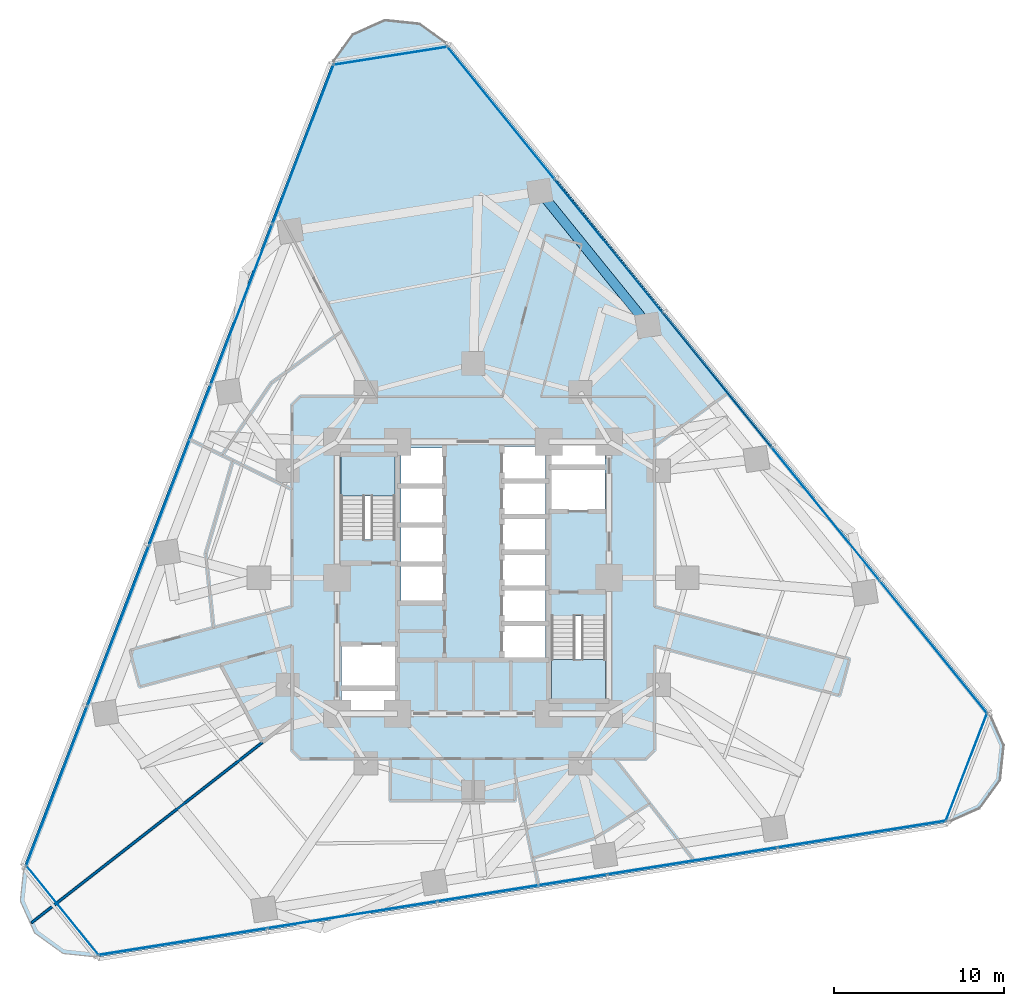
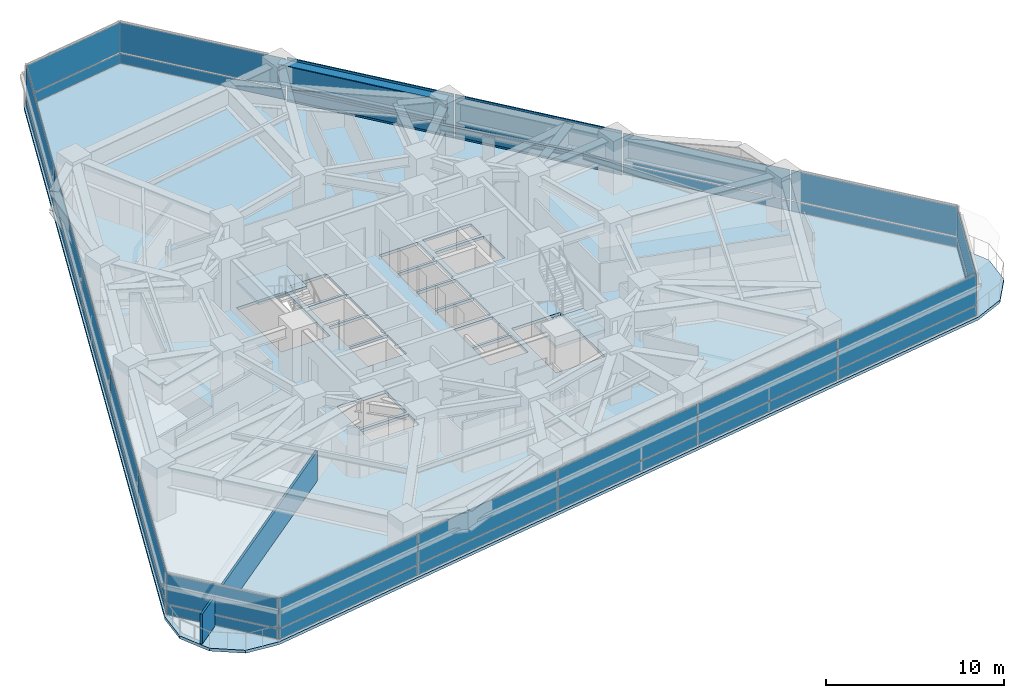
# One storey, part 6 of 13: 36 plates, 6 members, 3 slabs, 1 beam, 1 wall, 8 elements without a shape of their own.
"""IFC4 building model written with IfcOpenShell, lengths in metres."""

from ifc_helpers import new_model, si_unit, direction, frame, frame_2d, origin, origin_2d, place, context, subcontext, project, spatial, polyline, rectangle, i_section, outline, extrude, material, layer, layer_set, material_profile, profile_set, type_object, element, aggregate, save


model = new_model("IFC4")

# Units and contexts
model_context = context("Model", 3, precision=1e-05, world=origin(), true_north=direction((0.0, 1.0)))
body_context = subcontext(model_context, "Body", "Model", "MODEL_VIEW")
ifc_project = project(units=[si_unit("LENGTHUNIT", "METRE"), si_unit("AREAUNIT", "SQUARE_METRE"), si_unit("VOLUMEUNIT", "CUBIC_METRE"), si_unit("PLANEANGLEUNIT", "RADIAN"), si_unit("MASSUNIT", "GRAM", prefix="KILO")], contexts=[model_context])

# Site, building, storey
site_placement = place(None, origin())
site = spatial("IfcSite", under=ifc_project, at=site_placement, CompositionType="ELEMENT")
building_placement = place(site_placement, origin())
building = spatial("IfcBuilding", under=site, at=building_placement, Name="Terralouvre Media Tower", CompositionType="ELEMENT")
storey_placement = place(building_placement, frame((0.0, 0.0, 81.5)))
storey = spatial("IfcBuildingStorey", under=building, at=storey_placement, Name="L20", CompositionType="ELEMENT", Elevation=81.5)

# Curtain wall, members
ifc_material_1 = material(Name="Low-iron laminated double glazing with solar-control coating", Category="glass")
ifc_layer_1 = layer(ifc_material_1, 0.1650390625, Name="Lower Media Tower Unitised Curtain Wall CW-02")
ifc_layer_set_1 = layer_set([ifc_layer_1], Name="Low-iron laminated double glazing with solar-control coating")
curtain_wall_type_1 = type_object("IfcCurtainWallType", Name="Lower Media Tower Unitised Curtain Wall CW-02", PredefinedType="NOTDEFINED", material=ifc_layer_set_1)
curtain_wall_1_placement = place(storey_placement, origin())
curtain_wall_1 = element("IfcCurtainWall", 1, at=curtain_wall_1_placement, inside=storey, type_object=curtain_wall_type_1, Name="L20 Facade Curtain Wall F1", PredefinedType="NOTDEFINED")
ifc_material_2 = material(Name="Anodised extruded aluminium 6063-T6", Category="aluminium")
ifc_material_profile_1 = material_profile(ifc_material_2, rectangle(XDim=0.074951171875, YDim=0.14990234375, at=origin_2d()), Name="ALU 75x150")
ifc_profile_set_1 = profile_set([ifc_material_profile_1], Name="Anodised extruded aluminium 6063-T6")
member_type = type_object("IfcMemberType", Name="Curtain-Wall Horizontal Transom TR-150", PredefinedType="USERDEFINED", material=ifc_profile_set_1)
member_1_placement = place(storey_placement, frame((17.523681640625, 7.72265625, 0.03759765625), z_axis=(-0.629319084722, 0.777147019299, 0.0), x_axis=(-0.777147019299, -0.629319084722, 0.0)))
member_1 = element("IfcMember", 2, at=member_1_placement, type_object=member_type, Name="CW-02 transom 3.1", ObjectType="TRANSOM", PredefinedType="USERDEFINED", context=body_context, shape_type="SweptSolid", body=[
    extrude(rectangle(XDim=0.074951171875, YDim=0.14990234375, at=origin_2d()), origin(), (0.0, 0.0, 1.0), 10.052734375),
])
member_2_placement = place(storey_placement, frame((17.523681640625, 7.72265625, 0.800048828125), z_axis=(-0.629319084722, 0.777147019299, 0.0), x_axis=(-0.777147019299, -0.629319084722, 0.0)))
member_2 = element("IfcMember", 3, at=member_2_placement, type_object=member_type, Name="CW-02 transom 3.2", ObjectType="TRANSOM", PredefinedType="USERDEFINED", context=body_context, shape_type="SweptSolid", body=[
    extrude(rectangle(XDim=0.074951171875, YDim=0.14990234375, at=origin_2d()), origin(), (0.0, 0.0, 1.0), 10.052734375),
])
member_3_placement = place(storey_placement, frame((17.523681640625, 7.72265625, 2.922607421875), z_axis=(-0.629319084722, 0.777147019299, 0.0), x_axis=(-0.777147019299, -0.629319084722, 0.0)))
member_3 = element("IfcMember", 4, at=member_3_placement, type_object=member_type, Name="CW-02 transom 3.3", ObjectType="TRANSOM", PredefinedType="USERDEFINED", context=body_context, shape_type="SweptSolid", body=[
    extrude(rectangle(XDim=0.074951171875, YDim=0.14990234375, at=origin_2d()), origin(), (0.0, 0.0, 1.0), 10.052734375),
])
member_4_placement = place(storey_placement, frame((11.14990234375, 15.593505859375, 0.03759765625), z_axis=(-0.629307207311, 0.777156637253, 0.0), x_axis=(-0.777156637253, -0.629307207311, 0.0)))
member_4 = element("IfcMember", 5, at=member_4_placement, type_object=member_type, Name="CW-02 transom 4.1", ObjectType="TRANSOM", PredefinedType="USERDEFINED", context=body_context, shape_type="SweptSolid", body=[
    extrude(rectangle(XDim=0.074951171875, YDim=0.14990234375, at=origin_2d()), origin(), (0.0, 0.0, 1.0), 10.052978515625),
])
member_5_placement = place(storey_placement, frame((11.14990234375, 15.593505859375, 0.800048828125), z_axis=(-0.629307207311, 0.777156637253, 0.0), x_axis=(-0.777156637253, -0.629307207311, 0.0)))
member_5 = element("IfcMember", 6, at=member_5_placement, type_object=member_type, Name="CW-02 transom 4.2", ObjectType="TRANSOM", PredefinedType="USERDEFINED", context=body_context, shape_type="SweptSolid", body=[
    extrude(rectangle(XDim=0.074951171875, YDim=0.14990234375, at=origin_2d()), origin(), (0.0, 0.0, 1.0), 10.052978515625),
])
member_6_placement = place(storey_placement, frame((11.14990234375, 15.593505859375, 2.922607421875), z_axis=(-0.629307207311, 0.777156637253, 0.0), x_axis=(-0.777156637253, -0.629307207311, 0.0)))
member_6 = element("IfcMember", 7, at=member_6_placement, type_object=member_type, Name="CW-02 transom 4.3", ObjectType="TRANSOM", PredefinedType="USERDEFINED", context=body_context, shape_type="SweptSolid", body=[
    extrude(rectangle(XDim=0.074951171875, YDim=0.14990234375, at=origin_2d()), origin(), (0.0, 0.0, 1.0), 10.052978515625),
])

# Beam
ifc_material_3 = material(Name="Structural steel S460M", Category="steel")
ifc_material_profile_2 = material_profile(ifc_material_3, i_section(OverallWidth=0.56005859375, OverallDepth=1.39990234375, WebThickness=0.031982421875, FlangeThickness=0.050048828125, at=origin_2d()), Name="TG 1400x560")
ifc_profile_set_2 = profile_set([ifc_material_profile_2], Name="Structural steel S460M")
beam_type = type_object("IfcBeamType", Name="Welded Transfer Girder TG-1400 (TG 1400x560)", PredefinedType="USERDEFINED", material=ifc_profile_set_2)
beam_placement = place(storey_placement, frame((10.29541015625, 14.853271484375, 2.760009765625), z_axis=(-0.629325814949, 0.777141569239, 0.0), x_axis=(-0.777141569239, -0.629325814949, 0.0)))
element("IfcBeam", 8, at=beam_placement, inside=storey, type_object=beam_type, Name="L20 Framing Beam BM-L20-PR08", ObjectType="TRANSFER GIRDER", PredefinedType="USERDEFINED", context=body_context, shape_type="SweptSolid", body=[
    extrude(i_section(OverallWidth=0.56005859375, OverallDepth=1.39990234375, WebThickness=0.031982421875, FlangeThickness=0.050048828125, at=origin_2d()), origin(), (0.0, 0.0, 1.0), 10.1279296875),
])

# Slab
ifc_material_4 = material(Name="Concrete C40/50", Category="concrete")
ifc_layer_2 = layer(ifc_material_4, 0.199951171875, Name="Composite Tower Floor Slab S-TYP200")
ifc_layer_set_2 = layer_set([ifc_layer_2], Name="Concrete C40/50")
slab_type_1 = type_object("IfcSlabType", Name="Composite Tower Floor Slab S-TYP200", PredefinedType="FLOOR", material=ifc_layer_set_2)
slab_1_placement = place(storey_placement, frame((0.0, 0.0, -0.199951171875), z_axis=(0.0, 0.0, 1.0), x_axis=(0.987688340595, 0.15643446504, 0.0)))
element("IfcSlab", 9, at=slab_1_placement, inside=storey, type_object=slab_type_1, Name="L20 Structural Floor Slab", PredefinedType="FLOOR", context=body_context, shape_type="SweptSolid", body=[
    extrude(outline(polyline([(-28.766845703125, -12.62841796875), (-29.300048828125, -14.618408203125), (-28.766845703125, -16.6083984375), (-27.31005859375, -18.065185546875), (-25.320068359375, -18.598388671875), (25.320068359375, -18.598388671875), (27.31005859375, -18.065185546875), (28.766845703125, -16.6083984375), (29.300048828125, -14.618408203125), (28.766845703125, -12.62841796875), (3.44677734375, 31.22705078125), (1.989990234375, 32.683837890625), (0.0, 33.217041015625), (-1.989990234375, 32.683837890625), (-3.44677734375, 31.22705078125), (-28.766845703125, -12.62841796875)]), holes=[polyline([(-5.763671875, -6.984375), (-8.874755859375, -6.49169921875), (-8.68701171875, -5.306396484375), (-5.575927734375, -5.799072265625), (-5.763671875, -6.984375)]), polyline([(-5.54443359375, -5.6015625), (-8.65576171875, -5.10888671875), (-8.2724609375, -2.68896484375), (-5.161376953125, -3.181884765625), (-5.54443359375, -5.6015625)]), polyline([(-1.95068359375, -1.128662109375), (-4.419921875, -0.73779296875), (-4.0849609375, 1.3759765625), (-1.61572265625, 0.98486328125), (-1.95068359375, -1.128662109375)]), polyline([(-1.5908203125, 1.142822265625), (-4.06005859375, 1.533935546875), (-3.725341796875, 3.647705078125), (-1.256103515625, 3.256591796875), (-1.5908203125, 1.142822265625)]), polyline([(4.44482421875, 0.895751953125), (1.9755859375, 1.286865234375), (2.279052734375, 3.202880859375), (4.748291015625, 2.811767578125), (4.44482421875, 0.895751953125)]), polyline([(-1.23095703125, 3.41455078125), (-3.7001953125, 3.8056640625), (-3.365478515625, 5.91943359375), (-0.896240234375, 5.5283203125), (-1.23095703125, 3.41455078125)]), polyline([(-4.192138671875, 2.93701171875), (-7.3330078125, 3.434326171875), (-6.548583984375, 8.3876953125), (-3.40771484375, 7.89013671875), (-4.192138671875, 2.93701171875)]), polyline([(-0.87109375, 5.686279296875), (-3.34033203125, 6.077392578125), (-3.005615234375, 8.19091796875), (-0.536376953125, 7.800048828125), (-0.87109375, 5.686279296875)]), polyline([(4.192138671875, -2.93701171875), (7.3330078125, -3.434326171875), (6.548583984375, -8.3876953125), (3.40771484375, -7.89013671875), (4.192138671875, -2.93701171875)]), polyline([(3.459228515625, -5.32666015625), (0.989990234375, -4.935546875), (1.29345703125, -3.01953125), (3.7626953125, -3.41064453125), (3.459228515625, -5.32666015625)]), polyline([(3.787841796875, -3.252685546875), (1.318603515625, -2.861572265625), (1.6220703125, -0.9453125), (4.09130859375, -1.33642578125), (3.787841796875, -3.252685546875)]), polyline([(4.1162109375, -1.178466796875), (1.647216796875, -0.787353515625), (1.95068359375, 1.128662109375), (4.419921875, 0.73779296875), (4.1162109375, -1.178466796875)]), polyline([(4.7734375, 2.9697265625), (2.30419921875, 3.36083984375), (2.607666015625, 5.277099609375), (5.076904296875, 4.885986328125), (4.7734375, 2.9697265625)]), polyline([(8.2724609375, 2.68896484375), (5.161376953125, 3.181884765625), (5.54443359375, 5.6015625), (8.65576171875, 5.10888671875), (8.2724609375, 2.68896484375)]), polyline([(5.101806640625, 5.0439453125), (2.632568359375, 5.43505859375), (2.93603515625, 7.35107421875), (5.4052734375, 6.960205078125), (5.101806640625, 5.0439453125)]), polyline([(8.68701171875, 5.306396484375), (5.575927734375, 5.799072265625), (5.763671875, 6.984375), (8.874755859375, 6.49169921875), (8.68701171875, 5.306396484375)])]), origin(), (0.0, 0.0, 1.0), 0.199951171875),
])

# Stair, slab
ifc_material_5 = material(Name="Concrete C45/55", Category="concrete")
stair_type_1 = type_object("IfcStairType", Name="Dogleg Stair Assembly ST-01", PredefinedType="HALF_TURN_STAIR", material=ifc_material_5)
stair_1_placement = place(storey_placement, origin())
stair_1 = element("IfcStair", 10, at=stair_1_placement, inside=storey, type_object=stair_type_1, Name="L20 Core Pressurised Exit Stair ST-01", PredefinedType="HALF_TURN_STAIR")
ifc_material_6 = material(Name="Concrete C45/55", Category="concrete")
ifc_layer_3 = layer(ifc_material_6, 0.199951171875, Name="Reinforced Concrete Stair Half-Landing SL-LD1")
ifc_layer_set_3 = layer_set([ifc_layer_3], Name="Concrete C45/55")
slab_type_2 = type_object("IfcSlabType", Name="Reinforced Concrete Stair Half-Landing SL-LD1", PredefinedType="LANDING", material=ifc_layer_set_3)
slab_2_placement = place(storey_placement, frame((0.0, 0.0, 1.64990234375)))
slab_2 = element("IfcSlab", 11, at=slab_2_placement, type_object=slab_type_2, Name="ST-01 landing 1", PredefinedType="LANDING", context=body_context, shape_type="SweptSolid", body=[
    extrude(outline(polyline([(-4.60009765625, 4.820068359375), (-4.60009765625, 7.260009765625), (-7.780029296875, 7.260009765625), (-7.780029296875, 4.820068359375), (-4.60009765625, 4.820068359375)])), origin(), (0.0, 0.0, 1.0), 0.2001953125),
])
aggregate(stair_1, [slab_2])

ifc_material_7 = material(Name="Concrete C45/55", Category="concrete")
stair_type_2 = type_object("IfcStairType", Name="Dogleg Stair Assembly ST-02", PredefinedType="HALF_TURN_STAIR", material=ifc_material_7)
stair_2_placement = place(storey_placement, origin())
stair_2 = element("IfcStair", 12, at=stair_2_placement, inside=storey, type_object=stair_type_2, Name="L20 Core Pressurised Exit Stair ST-02", PredefinedType="HALF_TURN_STAIR")
slab_3_placement = place(storey_placement, frame((0.0, 0.0, 1.64990234375)))
slab_3 = element("IfcSlab", 13, at=slab_3_placement, type_object=slab_type_2, Name="ST-02 landing 1", PredefinedType="LANDING", context=body_context, shape_type="SweptSolid", body=[
    extrude(outline(polyline([(4.60009765625, -4.820068359375), (4.60009765625, -7.260009765625), (7.780029296875, -7.260009765625), (7.780029296875, -4.820068359375), (4.60009765625, -4.820068359375)])), origin(), (0.0, 0.0, 1.0), 0.2001953125),
])
aggregate(stair_2, [slab_3])

# Curtain wall, plates
ifc_material_8 = material(Name="Low-iron laminated double glazing with solar-control coating", Category="glass")
ifc_layer_4 = layer(ifc_material_8, 0.1650390625, Name="Rounded Wind-Corner Curved Glazing CW-04")
ifc_layer_set_4 = layer_set([ifc_layer_4], Name="Low-iron laminated double glazing with solar-control coating")
curtain_wall_type_2 = type_object("IfcCurtainWallType", Name="Rounded Wind-Corner Curved Glazing CW-04", PredefinedType="NOTDEFINED", material=ifc_layer_set_4)
curtain_wall_2_placement = place(storey_placement, origin())
curtain_wall_2 = element("IfcCurtainWall", 14, at=curtain_wall_2_placement, inside=storey, type_object=curtain_wall_type_2, Name="L20 Rounded Wind-Corner Curtain Wall C0", PredefinedType="NOTDEFINED")
ifc_material_9 = material(Name="Low-iron laminated double glazing with solar-control coating", Category="glass")
ifc_layer_5 = layer(ifc_material_9, 0.0400390625, Name="Rounded Corner Laminated Vision Panel CWP-03")
ifc_layer_set_5 = layer_set([ifc_layer_5], Name="Low-iron laminated double glazing with solar-control coating")
plate_type_1 = type_object("IfcPlateType", Name="Rounded Corner Laminated Vision Panel CWP-03", PredefinedType="CURTAIN_PANEL", material=ifc_layer_set_5)
plate_1_placement = place(storey_placement, frame((-24.1591796875, -19.563720703125, 0.074951171875), z_axis=(0.0, 0.0, 1.0), x_axis=(0.629320031936, -0.777146252262, 0.0)))
plate_1 = element("IfcPlate", 15, at=plate_1_placement, type_object=plate_type_1, Name="CW-04 panel 1.1", PredefinedType="CURTAIN_PANEL", context=body_context, shape_type="SweptSolid", body=[
    extrude(rectangle(XDim=6.74365234375, YDim=0.035888671875, at=origin_2d()), origin(), (0.0, 0.0, 1.0), 0.6875),
])
plate_2_placement = place(storey_placement, frame((-24.1591796875, -19.563720703125, 0.83740234375), z_axis=(0.0, 0.0, 1.0), x_axis=(0.629320031936, -0.777146252262, 0.0)))
plate_2 = element("IfcPlate", 16, at=plate_2_placement, type_object=plate_type_1, Name="CW-04 panel 1.2", PredefinedType="CURTAIN_PANEL", context=body_context, shape_type="SweptSolid", body=[
    extrude(rectangle(XDim=6.74365234375, YDim=0.035888671875, at=origin_2d()), origin(), (0.0, 0.0, 1.0), 2.047607421875),
])
aggregate(curtain_wall_2, [plate_1, plate_2])

curtain_wall_3_placement = place(storey_placement, origin())
curtain_wall_3 = element("IfcCurtainWall", 17, at=curtain_wall_3_placement, inside=storey, type_object=curtain_wall_type_2, Name="L20 Rounded Wind-Corner Curtain Wall C1", PredefinedType="NOTDEFINED")
plate_3_placement = place(storey_placement, frame((29.022216796875, -11.140625, 0.074951171875), z_axis=(0.0, 0.0, 1.0), x_axis=(0.358367472863, 0.933580609478, 0.0)))
plate_3 = element("IfcPlate", 18, at=plate_3_placement, type_object=plate_type_1, Name="CW-04 panel 1.1", PredefinedType="CURTAIN_PANEL", context=body_context, shape_type="SweptSolid", body=[
    extrude(rectangle(XDim=6.74365234375, YDim=0.035888671875, at=origin_2d()), origin(), (0.0, 0.0, 1.0), 0.6875),
])
plate_4_placement = place(storey_placement, frame((29.022216796875, -11.140625, 0.83740234375), z_axis=(0.0, 0.0, 1.0), x_axis=(0.358367472863, 0.933580609478, 0.0)))
plate_4 = element("IfcPlate", 19, at=plate_4_placement, type_object=plate_type_1, Name="CW-04 panel 1.2", PredefinedType="CURTAIN_PANEL", context=body_context, shape_type="SweptSolid", body=[
    extrude(rectangle(XDim=6.74365234375, YDim=0.035888671875, at=origin_2d()), origin(), (0.0, 0.0, 1.0), 2.047607421875),
])
aggregate(curtain_wall_3, [plate_3, plate_4])

curtain_wall_4_placement = place(storey_placement, origin())
curtain_wall_4 = element("IfcCurtainWall", 20, at=curtain_wall_4_placement, inside=storey, type_object=curtain_wall_type_2, Name="L20 Rounded Wind-Corner Curtain Wall C2", PredefinedType="NOTDEFINED")
plate_5_placement = place(storey_placement, frame((-4.863037109375, 30.704345703125, 0.074951171875), z_axis=(0.0, 0.0, 1.0), x_axis=(-0.987688353034, -0.156434386502, 0.0)))
plate_5 = element("IfcPlate", 21, at=plate_5_placement, type_object=plate_type_1, Name="CW-04 panel 1.1", PredefinedType="CURTAIN_PANEL", context=body_context, shape_type="SweptSolid", body=[
    extrude(rectangle(XDim=6.74365234375, YDim=0.035888671875, at=origin_2d()), origin(), (0.0, 0.0, 1.0), 0.6875),
])
plate_6_placement = place(storey_placement, frame((-4.863037109375, 30.704345703125, 0.83740234375), z_axis=(0.0, 0.0, 1.0), x_axis=(-0.987688353034, -0.156434386502, 0.0)))
plate_6 = element("IfcPlate", 22, at=plate_6_placement, type_object=plate_type_1, Name="CW-04 panel 1.2", PredefinedType="CURTAIN_PANEL", context=body_context, shape_type="SweptSolid", body=[
    extrude(rectangle(XDim=6.74365234375, YDim=0.035888671875, at=origin_2d()), origin(), (0.0, 0.0, 1.0), 2.047607421875),
])
aggregate(curtain_wall_4, [plate_5, plate_6])

curtain_wall_5_placement = place(storey_placement, origin())
curtain_wall_5 = element("IfcCurtainWall", 23, at=curtain_wall_5_placement, inside=storey, type_object=curtain_wall_type_1, Name="L20 Facade Curtain Wall F0", PredefinedType="NOTDEFINED")
ifc_material_10 = material(Name="Low-iron laminated double glazing with solar-control coating", Category="glass")
ifc_layer_6 = layer(ifc_material_10, 0.035888671875, Name="Vision Double-Glazed Unit CWP-01")
ifc_layer_set_6 = layer_set([ifc_layer_6], Name="Low-iron laminated double glazing with solar-control coating")
plate_type_2 = type_object("IfcPlateType", Name="Vision Double-Glazed Unit CWP-01", PredefinedType="CURTAIN_PANEL", material=ifc_layer_set_6)
plate_7_placement = place(storey_placement, frame((-17.097412109375, -21.416748046875, 0.074951171875), z_axis=(0.0, 0.0, 1.0), x_axis=(0.987688340934, 0.156434462903, 0.0)))
plate_7 = element("IfcPlate", 24, at=plate_7_placement, type_object=plate_type_2, Name="CW-02 panel 1.1", PredefinedType="CURTAIN_PANEL", context=body_context, shape_type="SweptSolid", body=[
    extrude(rectangle(XDim=10.015380859375, YDim=0.035888671875, at=origin_2d()), origin(), (0.0, 0.0, 1.0), 0.6875),
])
plate_8_placement = place(storey_placement, frame((-17.097412109375, -21.416748046875, 0.83740234375), z_axis=(0.0, 0.0, 1.0), x_axis=(0.987688340934, 0.156434462903, 0.0)))
plate_8 = element("IfcPlate", 25, at=plate_8_placement, type_object=plate_type_2, Name="CW-02 panel 1.2", PredefinedType="CURTAIN_PANEL", context=body_context, shape_type="SweptSolid", body=[
    extrude(rectangle(XDim=10.015380859375, YDim=0.035888671875, at=origin_2d()), origin(), (0.0, 0.0, 1.0), 2.047607421875),
])
plate_9_placement = place(storey_placement, frame((-7.112548828125, -19.83544921875, 0.074951171875), z_axis=(0.0, 0.0, 1.0), x_axis=(0.987688340934, 0.156434462903, 0.0)))
plate_9 = element("IfcPlate", 26, at=plate_9_placement, type_object=plate_type_2, Name="CW-02 panel 2.1", PredefinedType="CURTAIN_PANEL", context=body_context, shape_type="SweptSolid", body=[
    extrude(rectangle(XDim=10.052978515625, YDim=0.035888671875, at=origin_2d()), origin(), (0.0, 0.0, 1.0), 0.6875),
])
plate_10_placement = place(storey_placement, frame((-7.112548828125, -19.83544921875, 0.83740234375), z_axis=(0.0, 0.0, 1.0), x_axis=(0.987688340934, 0.156434462903, 0.0)))
plate_10 = element("IfcPlate", 27, at=plate_10_placement, type_object=plate_type_2, Name="CW-02 panel 2.2", PredefinedType="CURTAIN_PANEL", context=body_context, shape_type="SweptSolid", body=[
    extrude(rectangle(XDim=10.052978515625, YDim=0.035888671875, at=origin_2d()), origin(), (0.0, 0.0, 1.0), 2.047607421875),
])
plate_11_placement = place(storey_placement, frame((2.890625, -18.2509765625, 0.074951171875), z_axis=(0.0, 0.0, 1.0), x_axis=(0.987688340934, 0.156434462903, 0.0)))
plate_11 = element("IfcPlate", 28, at=plate_11_placement, type_object=plate_type_2, Name="CW-02 panel 3.1", PredefinedType="CURTAIN_PANEL", context=body_context, shape_type="SweptSolid", body=[
    extrude(rectangle(XDim=10.052978515625, YDim=0.035888671875, at=origin_2d()), origin(), (0.0, 0.0, 1.0), 0.6875),
])
plate_12_placement = place(storey_placement, frame((2.890625, -18.2509765625, 0.83740234375), z_axis=(0.0, 0.0, 1.0), x_axis=(0.987688340934, 0.156434462903, 0.0)))
plate_12 = element("IfcPlate", 29, at=plate_12_placement, type_object=plate_type_2, Name="CW-02 panel 3.2", PredefinedType="CURTAIN_PANEL", context=body_context, shape_type="SweptSolid", body=[
    extrude(rectangle(XDim=10.052978515625, YDim=0.035888671875, at=origin_2d()), origin(), (0.0, 0.0, 1.0), 2.047607421875),
])
plate_13_placement = place(storey_placement, frame((12.89404296875, -16.666748046875, 0.074951171875), z_axis=(0.0, 0.0, 1.0), x_axis=(0.987688340934, 0.156434462903, 0.0)))
plate_13 = element("IfcPlate", 30, at=plate_13_placement, type_object=plate_type_2, Name="CW-02 panel 4.1", PredefinedType="CURTAIN_PANEL", context=body_context, shape_type="SweptSolid", body=[
    extrude(rectangle(XDim=10.052978515625, YDim=0.035888671875, at=origin_2d()), origin(), (0.0, 0.0, 1.0), 0.6875),
])
plate_14_placement = place(storey_placement, frame((12.89404296875, -16.666748046875, 0.83740234375), z_axis=(0.0, 0.0, 1.0), x_axis=(0.987688340934, 0.156434462903, 0.0)))
plate_14 = element("IfcPlate", 31, at=plate_14_placement, type_object=plate_type_2, Name="CW-02 panel 4.2", PredefinedType="CURTAIN_PANEL", context=body_context, shape_type="SweptSolid", body=[
    extrude(rectangle(XDim=10.052978515625, YDim=0.035888671875, at=origin_2d()), origin(), (0.0, 0.0, 1.0), 2.047607421875),
])
plate_15_placement = place(storey_placement, frame((22.878662109375, -15.085205078125, 0.074951171875), z_axis=(0.0, 0.0, 1.0), x_axis=(0.987688340934, 0.156434462903, 0.0)))
plate_15 = element("IfcPlate", 32, at=plate_15_placement, type_object=plate_type_2, Name="CW-02 panel 5.1", PredefinedType="CURTAIN_PANEL", context=body_context, shape_type="SweptSolid", body=[
    extrude(rectangle(XDim=10.015380859375, YDim=0.035888671875, at=origin_2d()), origin(), (0.0, 0.0, 1.0), 0.6875),
])
plate_16_placement = place(storey_placement, frame((22.878662109375, -15.085205078125, 0.83740234375), z_axis=(0.0, 0.0, 1.0), x_axis=(0.987688340934, 0.156434462903, 0.0)))
plate_16 = element("IfcPlate", 33, at=plate_16_placement, type_object=plate_type_2, Name="CW-02 panel 5.2", PredefinedType="CURTAIN_PANEL", context=body_context, shape_type="SweptSolid", body=[
    extrude(rectangle(XDim=10.015380859375, YDim=0.035888671875, at=origin_2d()), origin(), (0.0, 0.0, 1.0), 2.047607421875),
])
aggregate(curtain_wall_5, [plate_7, plate_8, plate_9, plate_10, plate_11, plate_12, plate_13, plate_14, plate_15, plate_16])

# Plate
plate_17_placement = place(storey_placement, frame((27.09619140625, -4.098388671875, 0.074951171875), z_axis=(0.0, 0.0, 1.0), x_axis=(-0.629320350521, 0.777145994276, 0.0)))
plate_17 = element("IfcPlate", 34, at=plate_17_placement, type_object=plate_type_2, Name="CW-02 panel 1.1", PredefinedType="CURTAIN_PANEL", context=body_context, shape_type="SweptSolid", body=[
    extrude(rectangle(XDim=10.015380859375, YDim=0.035888671875, at=origin_2d()), origin(), (0.0, 0.0, 1.0), 0.6875),
])

plate_18_placement = place(storey_placement, frame((27.09619140625, -4.098388671875, 0.83740234375), z_axis=(0.0, 0.0, 1.0), x_axis=(-0.629320350521, 0.777145994276, 0.0)))
plate_18 = element("IfcPlate", 35, at=plate_18_placement, type_object=plate_type_2, Name="CW-02 panel 1.2", PredefinedType="CURTAIN_PANEL", context=body_context, shape_type="SweptSolid", body=[
    extrude(rectangle(XDim=10.015380859375, YDim=0.035888671875, at=origin_2d()), origin(), (0.0, 0.0, 1.0), 2.047607421875),
])

plate_19_placement = place(storey_placement, frame((20.734375, 3.758056640625, 0.074951171875), z_axis=(0.0, 0.0, 1.0), x_axis=(-0.629320350521, 0.777145994276, 0.0)))
plate_19 = element("IfcPlate", 36, at=plate_19_placement, type_object=plate_type_2, Name="CW-02 panel 2.1", PredefinedType="CURTAIN_PANEL", context=body_context, shape_type="SweptSolid", body=[
    extrude(rectangle(XDim=10.052978515625, YDim=0.035888671875, at=origin_2d()), origin(), (0.0, 0.0, 1.0), 0.6875),
])

plate_20_placement = place(storey_placement, frame((20.734375, 3.758056640625, 0.83740234375), z_axis=(0.0, 0.0, 1.0), x_axis=(-0.629320350521, 0.777145994276, 0.0)))
plate_20 = element("IfcPlate", 37, at=plate_20_placement, type_object=plate_type_2, Name="CW-02 panel 2.2", PredefinedType="CURTAIN_PANEL", context=body_context, shape_type="SweptSolid", body=[
    extrude(rectangle(XDim=10.052978515625, YDim=0.035888671875, at=origin_2d()), origin(), (0.0, 0.0, 1.0), 2.047607421875),
])

plate_21_placement = place(storey_placement, frame((14.360595703125, 11.62890625, 0.074951171875), z_axis=(0.0, 0.0, 1.0), x_axis=(-0.629320350521, 0.777145994276, 0.0)))
plate_21 = element("IfcPlate", 38, at=plate_21_placement, type_object=plate_type_2, Name="CW-02 panel 3.1", PredefinedType="CURTAIN_PANEL", context=body_context, shape_type="SweptSolid", body=[
    extrude(rectangle(XDim=10.052978515625, YDim=0.035888671875, at=origin_2d()), origin(), (0.0, 0.0, 1.0), 0.6875),
])

plate_22_placement = place(storey_placement, frame((14.360595703125, 11.62890625, 0.83740234375), z_axis=(0.0, 0.0, 1.0), x_axis=(-0.629320350521, 0.777145994276, 0.0)))
plate_22 = element("IfcPlate", 39, at=plate_22_placement, type_object=plate_type_2, Name="CW-02 panel 3.2", PredefinedType="CURTAIN_PANEL", context=body_context, shape_type="SweptSolid", body=[
    extrude(rectangle(XDim=10.052978515625, YDim=0.035888671875, at=origin_2d()), origin(), (0.0, 0.0, 1.0), 2.047607421875),
])

plate_23_placement = place(storey_placement, frame((7.98681640625, 19.499755859375, 0.074951171875), z_axis=(0.0, 0.0, 1.0), x_axis=(-0.629320350521, 0.777145994276, 0.0)))
plate_23 = element("IfcPlate", 40, at=plate_23_placement, type_object=plate_type_2, Name="CW-02 panel 4.1", PredefinedType="CURTAIN_PANEL", context=body_context, shape_type="SweptSolid", body=[
    extrude(rectangle(XDim=10.052978515625, YDim=0.035888671875, at=origin_2d()), origin(), (0.0, 0.0, 1.0), 0.6875),
])

plate_24_placement = place(storey_placement, frame((7.98681640625, 19.499755859375, 0.83740234375), z_axis=(0.0, 0.0, 1.0), x_axis=(-0.629320350521, 0.777145994276, 0.0)))
plate_24 = element("IfcPlate", 41, at=plate_24_placement, type_object=plate_type_2, Name="CW-02 panel 4.2", PredefinedType="CURTAIN_PANEL", context=body_context, shape_type="SweptSolid", body=[
    extrude(rectangle(XDim=10.052978515625, YDim=0.035888671875, at=origin_2d()), origin(), (0.0, 0.0, 1.0), 2.047607421875),
])

plate_25_placement = place(storey_placement, frame((1.624755859375, 27.356201171875, 0.074951171875), z_axis=(0.0, 0.0, 1.0), x_axis=(-0.629320350521, 0.777145994276, 0.0)))
plate_25 = element("IfcPlate", 42, at=plate_25_placement, type_object=plate_type_2, Name="CW-02 panel 5.1", PredefinedType="CURTAIN_PANEL", context=body_context, shape_type="SweptSolid", body=[
    extrude(rectangle(XDim=10.015380859375, YDim=0.035888671875, at=origin_2d()), origin(), (0.0, 0.0, 1.0), 0.6875),
])

plate_26_placement = place(storey_placement, frame((1.624755859375, 27.356201171875, 0.83740234375), z_axis=(0.0, 0.0, 1.0), x_axis=(-0.629320350521, 0.777145994276, 0.0)))
plate_26 = element("IfcPlate", 43, at=plate_26_placement, type_object=plate_type_2, Name="CW-02 panel 5.2", PredefinedType="CURTAIN_PANEL", context=body_context, shape_type="SweptSolid", body=[
    extrude(rectangle(XDim=10.015380859375, YDim=0.035888671875, at=origin_2d()), origin(), (0.0, 0.0, 1.0), 2.047607421875),
])

aggregate(curtain_wall_1, [plate_17, plate_18, plate_19, plate_20, member_1, member_2, member_3, plate_21, plate_22, member_4, member_5, member_6, plate_23, plate_24, plate_25, plate_26])

# Curtain wall, plates
curtain_wall_6_placement = place(storey_placement, origin())
curtain_wall_6 = element("IfcCurtainWall", 44, at=curtain_wall_6_placement, inside=storey, type_object=curtain_wall_type_1, Name="L20 Facade Curtain Wall F2", PredefinedType="NOTDEFINED")
plate_27_placement = place(storey_placement, frame((-9.998779296875, 25.51513671875, 0.074951171875), z_axis=(0.0, 0.0, 1.0), x_axis=(-0.358367917006, -0.933580438988, 0.0)))
plate_27 = element("IfcPlate", 45, at=plate_27_placement, type_object=plate_type_2, Name="CW-02 panel 1.1", PredefinedType="CURTAIN_PANEL", context=body_context, shape_type="SweptSolid", body=[
    extrude(rectangle(XDim=10.015380859375, YDim=0.035888671875, at=origin_2d()), origin(), (0.0, 0.0, 1.0), 0.6875),
])
plate_28_placement = place(storey_placement, frame((-9.998779296875, 25.51513671875, 0.83740234375), z_axis=(0.0, 0.0, 1.0), x_axis=(-0.358367917006, -0.933580438988, 0.0)))
plate_28 = element("IfcPlate", 46, at=plate_28_placement, type_object=plate_type_2, Name="CW-02 panel 1.2", PredefinedType="CURTAIN_PANEL", context=body_context, shape_type="SweptSolid", body=[
    extrude(rectangle(XDim=10.015380859375, YDim=0.035888671875, at=origin_2d()), origin(), (0.0, 0.0, 1.0), 2.047607421875),
])
plate_29_placement = place(storey_placement, frame((-13.62158203125, 16.077392578125, 0.074951171875), z_axis=(0.0, 0.0, 1.0), x_axis=(-0.358367917006, -0.933580438988, 0.0)))
plate_29 = element("IfcPlate", 47, at=plate_29_placement, type_object=plate_type_2, Name="CW-02 panel 2.1", PredefinedType="CURTAIN_PANEL", context=body_context, shape_type="SweptSolid", body=[
    extrude(rectangle(XDim=10.052978515625, YDim=0.035888671875, at=origin_2d()), origin(), (0.0, 0.0, 1.0), 0.6875),
])
plate_30_placement = place(storey_placement, frame((-13.62158203125, 16.077392578125, 0.83740234375), z_axis=(0.0, 0.0, 1.0), x_axis=(-0.358367917006, -0.933580438988, 0.0)))
plate_30 = element("IfcPlate", 48, at=plate_30_placement, type_object=plate_type_2, Name="CW-02 panel 2.2", PredefinedType="CURTAIN_PANEL", context=body_context, shape_type="SweptSolid", body=[
    extrude(rectangle(XDim=10.052978515625, YDim=0.035888671875, at=origin_2d()), origin(), (0.0, 0.0, 1.0), 2.047607421875),
])
plate_31_placement = place(storey_placement, frame((-17.251220703125, 6.6220703125, 0.074951171875), z_axis=(0.0, 0.0, 1.0), x_axis=(-0.358367917006, -0.933580438988, 0.0)))
plate_31 = element("IfcPlate", 49, at=plate_31_placement, type_object=plate_type_2, Name="CW-02 panel 3.1", PredefinedType="CURTAIN_PANEL", context=body_context, shape_type="SweptSolid", body=[
    extrude(rectangle(XDim=10.052978515625, YDim=0.035888671875, at=origin_2d()), origin(), (0.0, 0.0, 1.0), 0.6875),
])
plate_32_placement = place(storey_placement, frame((-17.251220703125, 6.6220703125, 0.83740234375), z_axis=(0.0, 0.0, 1.0), x_axis=(-0.358367917006, -0.933580438988, 0.0)))
plate_32 = element("IfcPlate", 50, at=plate_32_placement, type_object=plate_type_2, Name="CW-02 panel 3.2", PredefinedType="CURTAIN_PANEL", context=body_context, shape_type="SweptSolid", body=[
    extrude(rectangle(XDim=10.052978515625, YDim=0.035888671875, at=origin_2d()), origin(), (0.0, 0.0, 1.0), 2.047607421875),
])
plate_33_placement = place(storey_placement, frame((-20.880615234375, -2.833251953125, 0.074951171875), z_axis=(0.0, 0.0, 1.0), x_axis=(-0.358367917006, -0.933580438988, 0.0)))
plate_33 = element("IfcPlate", 51, at=plate_33_placement, type_object=plate_type_2, Name="CW-02 panel 4.1", PredefinedType="CURTAIN_PANEL", context=body_context, shape_type="SweptSolid", body=[
    extrude(rectangle(XDim=10.052978515625, YDim=0.035888671875, at=origin_2d()), origin(), (0.0, 0.0, 1.0), 0.6875),
])
plate_34_placement = place(storey_placement, frame((-20.880615234375, -2.833251953125, 0.83740234375), z_axis=(0.0, 0.0, 1.0), x_axis=(-0.358367917006, -0.933580438988, 0.0)))
plate_34 = element("IfcPlate", 52, at=plate_34_placement, type_object=plate_type_2, Name="CW-02 panel 4.2", PredefinedType="CURTAIN_PANEL", context=body_context, shape_type="SweptSolid", body=[
    extrude(rectangle(XDim=10.052978515625, YDim=0.035888671875, at=origin_2d()), origin(), (0.0, 0.0, 1.0), 2.047607421875),
])
plate_35_placement = place(storey_placement, frame((-24.503662109375, -12.27099609375, 0.074951171875), z_axis=(0.0, 0.0, 1.0), x_axis=(-0.358367917006, -0.933580438988, 0.0)))
plate_35 = element("IfcPlate", 53, at=plate_35_placement, type_object=plate_type_2, Name="CW-02 panel 5.1", PredefinedType="CURTAIN_PANEL", context=body_context, shape_type="SweptSolid", body=[
    extrude(rectangle(XDim=10.015380859375, YDim=0.035888671875, at=origin_2d()), origin(), (0.0, 0.0, 1.0), 0.6875),
])
plate_36_placement = place(storey_placement, frame((-24.503662109375, -12.27099609375, 0.83740234375), z_axis=(0.0, 0.0, 1.0), x_axis=(-0.358367917006, -0.933580438988, 0.0)))
plate_36 = element("IfcPlate", 54, at=plate_36_placement, type_object=plate_type_2, Name="CW-02 panel 5.2", PredefinedType="CURTAIN_PANEL", context=body_context, shape_type="SweptSolid", body=[
    extrude(rectangle(XDim=10.015380859375, YDim=0.035888671875, at=origin_2d()), origin(), (0.0, 0.0, 1.0), 2.047607421875),
])
aggregate(curtain_wall_6, [plate_27, plate_28, plate_29, plate_30, plate_31, plate_32, plate_33, plate_34, plate_35, plate_36])

# Wall
ifc_material_11 = material(Name="Fire-rated gypsum board drywall partition")
ifc_layer_7 = layer(ifc_material_11, 0.135009765625, Name="Newsroom Acoustic Partition PT-135")
ifc_layer_set_7 = layer_set([ifc_layer_7], Name="Fire-rated gypsum board drywall partition")
wall_type = type_object("IfcWallType", Name="Newsroom Acoustic Partition PT-135", PredefinedType="PARTITIONING", material=ifc_layer_set_7)
wall_placement = place(storey_placement, frame((-25.99267578125, -20.307373046875, 0.0), z_axis=(0.0, 0.0, 1.0), x_axis=(0.788017511585, 0.61565282541, 0.0)))
element("IfcWall", 55, at=wall_placement, inside=storey, type_object=wall_type, Name="L20 Interior Partition 041", PredefinedType="PARTITIONING", context=body_context, shape_type="SweptSolid", body=[
    extrude(rectangle(XDim=17.260498046875, YDim=0.135009765625, at=frame_2d((8.63037109375, 0.0))), origin(), (0.0, 0.0, 1.0), 2.044921875),
])

save(model, "model.ifc")
